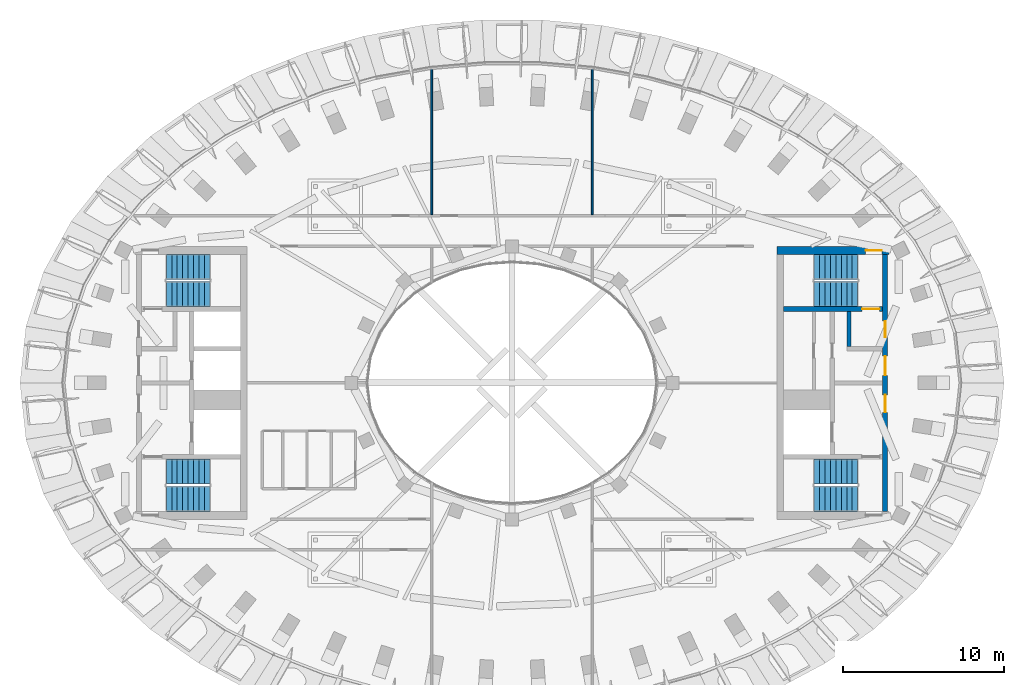
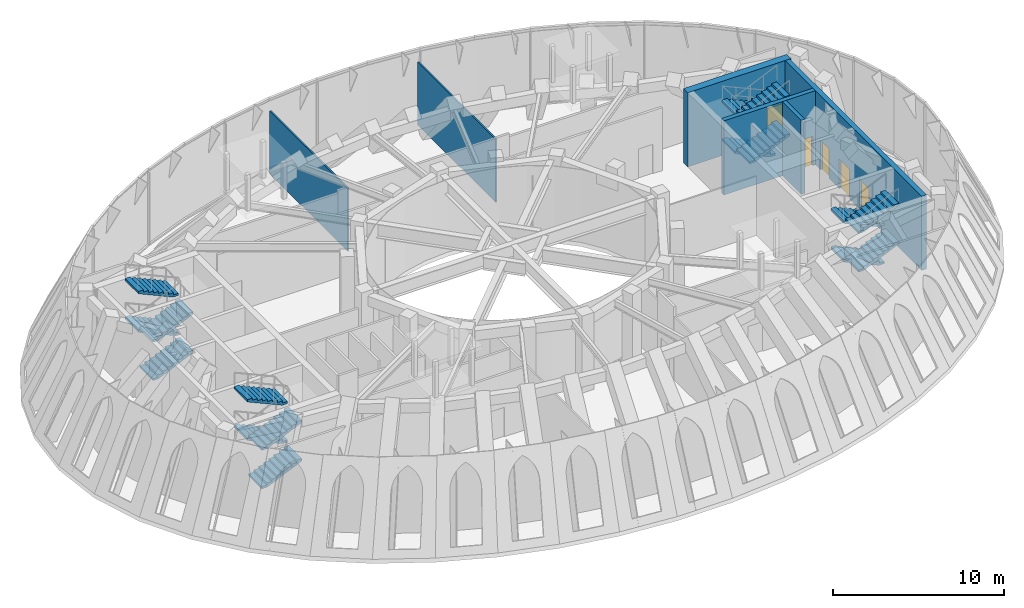
# One storey, part 5 of 13: 16 stair flights, 6 walls, 5 doors, 5 openings, 4 elements without a shape of their own.
"""IFC4 building model written with IfcOpenShell, lengths in metres."""

import ifcopenshell
import ifcopenshell.guid

model = None  # the IFC model being written
_history = None  # IfcOwnerHistory: only IFC2X3 demands one
_inside = {}  # id of a spatial element -> (the spatial element, [elements in it])
_under = {}  # id of a project, library or spatial element -> (it, [spatial elements below it])
_declared = {}  # id of a project -> (the project, [libraries it declares])
_typed = {}  # id of a type object -> (the type object, [elements of that type])
_made_of = {}  # id of a material, layer set ... -> (it, [elements and type objects made of it])


def new_model(schema):
    """Start an empty IFC model of exactly this schema.

    Asked for "IFC4X3", IfcOpenShell would pick the latest addendum, in which some entities
    have other attributes; the version numbers below select the first issue.
    IFC2X3 requires an IfcOwnerHistory on every rooted entity: one is made here for all.
    """
    global model, _history
    if schema == "IFC4X3":
        model = ifcopenshell.file(schema_version=(4, 3, 0, 0))
    else:
        model = ifcopenshell.file(schema=schema)
    _inside.clear()
    _under.clear()
    _declared.clear()
    _typed.clear()
    _made_of.clear()
    _history = None
    if model.schema == "IFC2X3":
        org = make("IfcOrganization", Name="unknown")
        user = make(
            "IfcPersonAndOrganization",
            ThePerson=make("IfcPerson", FamilyName="unknown"),
            TheOrganization=org,
        )
        app = make(
            "IfcApplication",
            ApplicationDeveloper=org,
            Version="unknown",
            ApplicationFullName="unknown",
            ApplicationIdentifier="unknown",
        )
        _history = make(
            "IfcOwnerHistory",
            OwningUser=user,
            OwningApplication=app,
            ChangeAction="ADDED",
            CreationDate=0,
        )
    return model


def make(cls, **values):
    """One entity of the class cls with the attributes given. An attribute that is None is left unset."""
    return model.create_entity(
        cls, **{name: value for name, value in values.items() if value is not None}
    )


def rooted(cls, **values):
    """An entity with a GlobalId (a new one), such as an element, a storey or a relation."""
    return make(cls, GlobalId=ifcopenshell.guid.new(), OwnerHistory=_history, **values)


def si_unit(unit_type, name, prefix=None):
    """IfcSIUnit, for example si_unit("LENGTHUNIT", "METRE", prefix="MILLI")."""
    return make("IfcSIUnit", UnitType=unit_type, Prefix=prefix, Name=name)


def assignment(units):
    """IfcUnitAssignment: the units of a project."""
    return None if units is None else make("IfcUnitAssignment", Units=units)


def point(xyz):
    """IfcCartesianPoint."""
    return None if xyz is None else make("IfcCartesianPoint", Coordinates=xyz)


def direction(xyz):
    """IfcDirection."""
    return None if xyz is None else make("IfcDirection", DirectionRatios=xyz)


def frame(location, z_axis=None, x_axis=None):
    """IfcAxis2Placement3D, a coordinate frame: its origin and axes. An axis left out is left unset."""
    return make(
        "IfcAxis2Placement3D",
        Location=point(location),
        Axis=direction(z_axis),
        RefDirection=direction(x_axis),
    )


def frame_2d(location, x_axis=None):
    """IfcAxis2Placement2D, a coordinate frame in the plane: its origin and x axis."""
    return make(
        "IfcAxis2Placement2D", Location=point(location), RefDirection=direction(x_axis)
    )


def origin():
    """The frame at (0, 0, 0) with its axes left unset."""
    return frame((0.0, 0.0, 0.0))


def place(relative_to, where):
    """IfcLocalPlacement: puts the frame where relative to a parent placement (None: the world)."""
    return make(
        "IfcLocalPlacement", PlacementRelTo=relative_to, RelativePlacement=where
    )


def context(
    kind, dimensions, precision=None, world=None, true_north=None, identifier=None
):
    """IfcGeometricRepresentationContext, for example the 3D "Model" context."""
    return make(
        "IfcGeometricRepresentationContext",
        ContextIdentifier=identifier,
        ContextType=kind,
        CoordinateSpaceDimension=dimensions,
        Precision=precision,
        WorldCoordinateSystem=world,
        TrueNorth=true_north,
    )


def subcontext(parent, identifier, kind, view, scale=None):
    """IfcGeometricRepresentationSubContext, for example "Body" below "Model"."""
    return make(
        "IfcGeometricRepresentationSubContext",
        ContextIdentifier=identifier,
        ContextType=kind,
        ParentContext=parent,
        TargetScale=scale,
        TargetView=view,
    )


def project(units=None, contexts=None):
    """IfcProject with its units and contexts."""
    return rooted(
        "IfcProject",
        Name="project",
        RepresentationContexts=contexts,
        UnitsInContext=assignment(units),
    )


def spatial(cls, under=None, at=None, **own):
    """A site, building, storey or space (cls), placed at a placement, below another one or the project."""
    s = rooted(cls, ObjectPlacement=at, **own)
    if under is not None:
        _under.setdefault(under.id(), (under, []))[1].append(s)
    return s


def polyline(points):
    """IfcPolyline through the points."""
    return make("IfcPolyline", Points=[point(p) for p in points])


def profile(cls, at=None, kind="AREA", **sizes):
    """A parametric profile (cls). Its sizes go by their IFC names, for example OverallWidth=200.0."""
    return make(cls, ProfileType=kind, Position=at, **sizes)


def rectangle(**sizes):
    """IfcRectangleProfileDef."""
    return profile("IfcRectangleProfileDef", **sizes)


def outline(outer, holes=None, kind="AREA"):
    """IfcArbitraryClosedProfileDef: a profile drawn as a closed curve; with holes, ...WithVoids."""
    if holes is None:
        return make("IfcArbitraryClosedProfileDef", ProfileType=kind, OuterCurve=outer)
    return make(
        "IfcArbitraryProfileDefWithVoids",
        ProfileType=kind,
        OuterCurve=outer,
        InnerCurves=holes,
    )


def extrude(swept, where, along, depth):
    """IfcExtrudedAreaSolid: the profile swept, set in the frame where, extruded along a direction by depth."""
    return make(
        "IfcExtrudedAreaSolid",
        SweptArea=swept,
        Position=where,
        ExtrudedDirection=direction(along),
        Depth=depth,
    )


def shape(context_of_items, identifier, shape_type, items):
    """IfcShapeRepresentation: the items that make up one representation, for example the "Body"."""
    return make(
        "IfcShapeRepresentation",
        ContextOfItems=context_of_items,
        RepresentationIdentifier=identifier,
        RepresentationType=shape_type,
        Items=items,
    )


def material(Name=None, Category=None):
    """IfcMaterial."""
    return make("IfcMaterial", Name=Name, Category=Category)


def layer(
    of_material, thickness, ventilated=None, Name=None, Category=None, Priority=None
):
    """IfcMaterialLayer: one layer of a wall or slab, of a material (None: an air gap)."""
    return make(
        "IfcMaterialLayer",
        Material=of_material,
        LayerThickness=thickness,
        IsVentilated=ventilated,
        Name=Name,
        Category=Category,
        Priority=Priority,
    )


def layer_set(layers, Name=None):
    """IfcMaterialLayerSet."""
    return make("IfcMaterialLayerSet", MaterialLayers=layers, LayerSetName=Name)


def made_of(thing, what):
    """Note that an element or type object is made of a material, layer set ...; save() writes the relation."""
    if what is not None:
        _made_of.setdefault(what.id(), (what, []))[1].append(thing)
    return thing


def type_object(cls, material=None, **own):
    """A type object (cls), such as IfcWallType, which elements share."""
    return made_of(rooted(cls, **own), material)


def element(
    cls,
    number,
    at=None,
    inside=None,
    cuts=None,
    type_object=None,
    material=None,
    context=None,
    identifier="Body",
    shape_type=None,
    held_by="IfcProductDefinitionShape",
    body=None,
    shapes=None,
    **own,
):
    """One element of the class cls, such as IfcWall. Its Tag is "e" and its number.

    at: its placement. inside: the storey or other place that contains it. cuts: it is an
    opening in that element (IfcRelVoidsElement). A single representation is given by context,
    identifier, shape_type and body (its items); several are given by shapes. held_by: the class
    of the entity that holds the representations. save() writes the other relations.
    """
    e = rooted(cls, Tag="e%d" % number, ObjectPlacement=at, **own)
    if body is not None:
        shapes = [shape(context, identifier, shape_type, body)]
    if shapes is not None:
        e.Representation = make(held_by, Representations=shapes)
    if inside is not None:
        _inside.setdefault(inside.id(), (inside, []))[1].append(e)
    if cuts is not None:
        rooted(
            "IfcRelVoidsElement", RelatingBuildingElement=cuts, RelatedOpeningElement=e
        )
    if type_object is not None:
        _typed.setdefault(type_object.id(), (type_object, []))[1].append(e)
    return made_of(e, material)


def fill(opening, filler):
    """IfcRelFillsElement: the door or window that sits in an opening."""
    return rooted(
        "IfcRelFillsElement",
        RelatingOpeningElement=opening,
        RelatedBuildingElement=filler,
    )


def aggregate(whole, parts):
    """IfcRelAggregates: a whole, such as a stair, and the parts it consists of."""
    return rooted("IfcRelAggregates", RelatingObject=whole, RelatedObjects=parts)


def save(model, path):
    """Write the relations noted so far, then the file.

    IfcRelAggregates (storeys below a building ...), IfcRelContainedInSpatialStructure (elements
    in a storey), IfcRelDefinesByType, IfcRelAssociatesMaterial and IfcRelDeclares: one each for
    every whole, place, type object, material and project.
    """
    for whole, parts in _under.values():
        aggregate(whole, parts)
    for where, things in _inside.values():
        rooted(
            "IfcRelContainedInSpatialStructure",
            RelatedElements=things,
            RelatingStructure=where,
        )
    for kind, things in _typed.values():
        rooted("IfcRelDefinesByType", RelatedObjects=things, RelatingType=kind)
    for what, things in _made_of.values():
        rooted("IfcRelAssociatesMaterial", RelatedObjects=things, RelatingMaterial=what)
    for by, libraries in _declared.values():
        rooted("IfcRelDeclares", RelatingContext=by, RelatedDefinitions=libraries)
    model.write(path)


model = new_model("IFC4")

# Units and contexts
model_context = context("Model", 3, precision=1e-05, world=origin(), true_north=direction((0.0, 1.0)))
body_context = subcontext(model_context, "Body", "Model", "MODEL_VIEW")
ifc_project = project(units=[si_unit("LENGTHUNIT", "METRE"), si_unit("AREAUNIT", "SQUARE_METRE"), si_unit("VOLUMEUNIT", "CUBIC_METRE"), si_unit("PLANEANGLEUNIT", "RADIAN"), si_unit("MASSUNIT", "GRAM", prefix="KILO")], contexts=[model_context])

# Site, building, storey
site_placement = place(None, origin())
site = spatial("IfcSite", under=ifc_project, at=site_placement, CompositionType="ELEMENT")
building_placement = place(site_placement, origin())
building = spatial("IfcBuilding", under=site, at=building_placement, Name="Noorbagh Ring Tower", CompositionType="ELEMENT")
storey_placement = place(building_placement, frame((0.0, 0.0, 351.0)))
storey = spatial("IfcBuildingStorey", under=building, at=storey_placement, Name="L77", CompositionType="ELEMENT", Elevation=351.0)

# Wall
ifc_material_1 = material(Name="Concrete C50/60", Category="concrete")
ifc_layer_1 = layer(ifc_material_1, 0.25)
ifc_layer_set_1 = layer_set([ifc_layer_1], Name="Concrete C50/60")
wall_type_1 = type_object("IfcWallType", Name="CORE-WALL-250-C50-60-EI240", PredefinedType="SHEAR", material=ifc_layer_set_1)
wall_1_placement = place(storey_placement, frame((20.97509765625, 2.25, 0.0), z_axis=(0.0, 0.0, 1.0), x_axis=(0.0, 1.0, 0.0)))
element("IfcWall", 1, at=wall_1_placement, inside=storey, type_object=wall_type_1, Name="Core wall E", PredefinedType="SHEAR", context=body_context, shape_type="SweptSolid", body=[
    extrude(rectangle(XDim=2.199951171875, YDim=0.25, at=frame_2d((1.10009765625, 0.0))), origin(), (0.0, 0.0, 1.0), 5.300048828125),
])

# Wall, opening, door
ifc_material_2 = material(Name="Concrete C50/60", Category="concrete")
ifc_layer_2 = layer(ifc_material_2, 0.300048828125)
ifc_layer_set_2 = layer_set([ifc_layer_2], Name="Concrete C50/60")
wall_type_2 = type_object("IfcWallType", Name="CORE-WALL-300-C50-60-EI240", PredefinedType="SHEAR", material=ifc_layer_set_2)
wall_2_placement = place(storey_placement, frame((16.89990234375, 4.60009765625, 0.0), z_axis=(0.0, 0.0, 1.0), x_axis=(1.0, 0.0, 0.0)))
wall_2 = element("IfcWall", 2, at=wall_2_placement, inside=storey, type_object=wall_type_2, Name="Core wall E", PredefinedType="SHEAR", context=body_context, shape_type="SweptSolid", body=[
    extrude(rectangle(XDim=6.18017578125, YDim=0.300048828125, at=frame_2d((3.090087890625, 0.0))), origin(), (0.0, 0.0, 1.0), 5.300048828125),
])
opening_1_placement = place(wall_2_placement, frame((4.89990234375, 0.0, 0.0)))
opening_1 = element("IfcOpeningElement", 3, at=opening_1_placement, cuts=wall_2, Name="Opening L77-CE02", PredefinedType="OPENING", context=body_context, shape_type="SweptSolid", body=[
    extrude(rectangle(XDim=1.10009765625, YDim=2.10009765625, at=frame_2d((0.550048828125, 1.050048828125))), frame((0.0, 0.16015625, 0.0), z_axis=(0.0, -1.0, 0.0), x_axis=(1.0, 0.0, 0.0)), (0.0, 0.0, 1.0), 0.320068359375),
])
ifc_material_3 = material(Name="Steel door leaf", Category="steel")
door_type_1 = type_object("IfcDoorType", Name="CORE-DOOR-DSTAIR", OperationType="SINGLE_SWING_LEFT", PredefinedType="DOOR", material=ifc_material_3)
door_1_placement = place(opening_1_placement, origin())
door_1 = element("IfcDoor", 4, at=door_1_placement, inside=storey, type_object=door_type_1, Name="Stair door ST3 L77-CE02", OperationType="SINGLE_SWING_LEFT", OverallHeight=2.10009765625, OverallWidth=1.10009765625, PredefinedType="DOOR", context=body_context, shape_type="SweptSolid", body=[
    extrude(rectangle(XDim=1.10009765625, YDim=2.10009765625, at=frame_2d((0.550048828125, 1.050048828125))), frame((0.0, 0.02490234375, 0.0), z_axis=(0.0, -1.0, 0.0), x_axis=(1.0, 0.0, 0.0)), (0.0, 0.0, 1.0), 0.050048828125),
])
fill(opening_1, door_1)

# Wall, openings, doors
ifc_material_4 = material(Name="Concrete C50/60", Category="concrete")
ifc_layer_3 = layer(ifc_material_4, 0.320068359375)
ifc_layer_set_3 = layer_set([ifc_layer_3], Name="Concrete C50/60")
wall_type_3 = type_object("IfcWallType", Name="CORE-WALL-320-C50-60-EI240", PredefinedType="SHEAR", material=ifc_layer_set_3)
wall_3_placement = place(storey_placement, frame((23.239990234375, -8.0, 0.0), z_axis=(0.0, 0.0, 1.0), x_axis=(0.0, 1.0, 0.0)))
wall_3 = element("IfcWall", 5, at=wall_3_placement, inside=storey, type_object=wall_type_3, Name="Core wall E", PredefinedType="SHEAR", context=body_context, shape_type="SweptSolid", body=[
    extrude(rectangle(XDim=16.0, YDim=0.320068359375, at=frame_2d((8.0, 0.0))), origin(), (0.0, 0.0, 1.0), 5.300048828125),
])
opening_2_placement = place(wall_3_placement, frame((6.159912109375, 0.0, 0.0)))
opening_2 = element("IfcOpeningElement", 6, at=opening_2_placement, cuts=wall_3, Name="Opening L77-CE04", PredefinedType="OPENING", context=body_context, shape_type="SweptSolid", body=[
    extrude(rectangle(XDim=1.10009765625, YDim=2.10009765625, at=frame_2d((0.550048828125, 1.050048828125))), frame((0.0, 0.169921875, 0.0), z_axis=(0.0, -1.0, 0.0), x_axis=(1.0, 0.0, 0.0)), (0.0, 0.0, 1.0), 0.340087890625),
])
opening_3_placement = place(wall_3_placement, frame((10.85009765625, 0.0, 0.0)))
opening_3 = element("IfcOpeningElement", 7, at=opening_3_placement, cuts=wall_3, Name="Opening L77-CE05", PredefinedType="OPENING", context=body_context, shape_type="SweptSolid", body=[
    extrude(rectangle(XDim=1.0, YDim=2.10009765625, at=frame_2d((0.5, 1.050048828125))), frame((0.0, 0.169921875, 0.0), z_axis=(0.0, -1.0, 0.0), x_axis=(1.0, 0.0, 0.0)), (0.0, 0.0, 1.0), 0.340087890625),
])
opening_4_placement = place(wall_3_placement, frame((8.4599609375, 0.0, 0.0)))
opening_4 = element("IfcOpeningElement", 8, at=opening_4_placement, cuts=wall_3, Name="Opening L77-CE06", PredefinedType="OPENING", context=body_context, shape_type="SweptSolid", body=[
    extrude(rectangle(XDim=1.199951171875, YDim=2.10009765625, at=frame_2d((0.60009765625, 1.050048828125))), frame((0.0, 0.169921875, 0.0), z_axis=(0.0, -1.0, 0.0), x_axis=(1.0, 0.0, 0.0)), (0.0, 0.0, 1.0), 0.340087890625),
])
ifc_material_5 = material(Name="Steel door leaf", Category="steel")
door_type_2 = type_object("IfcDoorType", Name="CORE-DOOR-DFF", OperationType="SINGLE_SWING_LEFT", PredefinedType="DOOR", material=ifc_material_5)
door_2_placement = place(opening_2_placement, origin())
door_2 = element("IfcDoor", 9, at=door_2_placement, inside=storey, type_object=door_type_2, Name="Firefighting lobby door L77-CE04", OperationType="SINGLE_SWING_LEFT", OverallHeight=2.10009765625, OverallWidth=1.10009765625, PredefinedType="DOOR", context=body_context, shape_type="SweptSolid", body=[
    extrude(rectangle(XDim=1.10009765625, YDim=2.10009765625, at=frame_2d((0.550048828125, 1.050048828125))), frame((0.0, 0.02490234375, 0.0), z_axis=(0.0, -1.0, 0.0), x_axis=(1.0, 0.0, 0.0)), (0.0, 0.0, 1.0), 0.050048828125),
])
fill(opening_2, door_2)
ifc_material_6 = material(Name="Steel door leaf", Category="steel")
door_type_3 = type_object("IfcDoorType", Name="CORE-DOOR-DVEST", OperationType="SINGLE_SWING_LEFT", PredefinedType="DOOR", material=ifc_material_6)
door_3_placement = place(opening_3_placement, origin())
door_3 = element("IfcDoor", 10, at=door_3_placement, inside=storey, type_object=door_type_3, Name="Stair vestibule door L77-CE05", OperationType="SINGLE_SWING_RIGHT", OverallHeight=2.10009765625, OverallWidth=1.0, PredefinedType="DOOR", context=body_context, shape_type="SweptSolid", body=[
    extrude(rectangle(XDim=1.0, YDim=2.10009765625, at=frame_2d((0.5, 1.050048828125))), frame((0.0, 0.02490234375, 0.0), z_axis=(0.0, -1.0, 0.0), x_axis=(1.0, 0.0, 0.0)), (0.0, 0.0, 1.0), 0.050048828125),
])
fill(opening_3, door_3)
ifc_material_7 = material(Name="Steel door leaf", Category="steel")
door_type_4 = type_object("IfcDoorType", Name="CORE-DOOR-PORT", OperationType="DOUBLE_DOOR_DOUBLE_SWING", PredefinedType="DOOR", material=ifc_material_7)
door_4_placement = place(opening_4_placement, origin())
door_4 = element("IfcDoor", 11, at=door_4_placement, inside=storey, type_object=door_type_4, Name="Core entrance door L77-CE06", OperationType="DOUBLE_DOOR_DOUBLE_SWING", OverallHeight=2.10009765625, OverallWidth=1.199951171875, PredefinedType="DOOR", context=body_context, shape_type="SweptSolid", body=[
    extrude(rectangle(XDim=1.199951171875, YDim=2.10009765625, at=frame_2d((0.60009765625, 1.050048828125))), frame((0.0, 0.02490234375, 0.0), z_axis=(0.0, -1.0, 0.0), x_axis=(1.0, 0.0, 0.0)), (0.0, 0.0, 1.0), 0.050048828125),
])
fill(opening_4, door_4)

# Wall, opening, door
ifc_material_8 = material(Name="Concrete C50/60", Category="concrete")
ifc_layer_4 = layer(ifc_material_8, 0.5)
ifc_layer_set_4 = layer_set([ifc_layer_4], Name="Concrete C50/60")
wall_type_4 = type_object("IfcWallType", Name="CORE-WALL-500-C50-60-EI240", PredefinedType="SHEAR", material=ifc_layer_set_4)
wall_4_placement = place(storey_placement, frame((16.5, 8.25, 0.0), z_axis=(0.0, 0.0, 1.0), x_axis=(1.0, 0.0, 0.0)))
wall_4 = element("IfcWall", 12, at=wall_4_placement, inside=storey, type_object=wall_type_4, Name="Core wall E", PredefinedType="SHEAR", context=body_context, shape_type="SweptSolid", body=[
    extrude(rectangle(XDim=6.9814453125, YDim=0.5, at=frame_2d((3.49072265625, 0.0))), origin(), (0.0, 0.0, 1.0), 5.300048828125),
])
opening_5_placement = place(wall_4_placement, frame((5.530029296875, 0.0, 0.0)))
opening_5 = element("IfcOpeningElement", 13, at=opening_5_placement, cuts=wall_4, Name="Opening L77-CE07", PredefinedType="OPENING", context=body_context, shape_type="SweptSolid", body=[
    extrude(rectangle(XDim=1.0, YDim=2.10009765625, at=frame_2d((0.5, 1.050048828125))), frame((0.0, 0.260009765625, 0.0), z_axis=(0.0, -1.0, 0.0), x_axis=(1.0, 0.0, 0.0)), (0.0, 0.0, 1.0), 0.52001953125),
])
ifc_material_9 = material(Name="Steel door leaf", Category="steel")
door_type_5 = type_object("IfcDoorType", Name="CORE-DOOR-DFLANK", OperationType="SINGLE_SWING_LEFT", PredefinedType="DOOR", material=ifc_material_9)
door_5_placement = place(opening_5_placement, origin())
door_5 = element("IfcDoor", 14, at=door_5_placement, inside=storey, type_object=door_type_5, Name="Stair door ST3 (floor side) L77-CE07", OperationType="SINGLE_SWING_RIGHT", OverallHeight=2.10009765625, OverallWidth=1.0, PredefinedType="DOOR", context=body_context, shape_type="SweptSolid", body=[
    extrude(rectangle(XDim=1.0, YDim=2.10009765625, at=frame_2d((0.5, 1.050048828125))), frame((0.0, 0.02490234375, 0.0), z_axis=(0.0, -1.0, 0.0), x_axis=(1.0, 0.0, 0.0)), (0.0, 0.0, 1.0), 0.050048828125),
])
fill(opening_5, door_5)

# Walls
ifc_material_10 = material(Name="Gypsum board on steel studs", Category="steel")
ifc_layer_5 = layer(ifc_material_10, 0.10009765625)
ifc_layer_set_5 = layer_set([ifc_layer_5], Name="Gypsum board on steel studs")
wall_type_5 = type_object("IfcWallType", Name="PARTITION 100 GYPSUM", PredefinedType="PARTITIONING", material=ifc_layer_set_5)
for number, where, z_axis, x_axis, name in (
    (15, (-5.0, 10.485107421875, 0.0), (0.0, 0.0, 1.0), (0.0, 1.0, 0.0), "L77/wall/P19"),
    (16, (5.0, 10.485107421875, 0.0), (0.0, 0.0, 1.0), (0.0, 1.0, 0.0), "L77/wall/P26"),
):
    element("IfcWall", number, at=place(storey_placement, frame(where, z_axis=z_axis, x_axis=x_axis)), inside=storey, type_object=wall_type_5, Name=name, PredefinedType="PARTITIONING", context=body_context, shape_type="SweptSolid", body=[
        extrude(rectangle(XDim=9.135009765625, YDim=0.10009765625, at=frame_2d((4.5673828125, 0.0))), origin(), (0.0, 0.0, 1.0), 4.5),
    ])

# Stair, stair flights
ifc_material_11 = material(Name="Concrete C40/50", Category="concrete")
stair_type = type_object("IfcStairType", Name="CORE-STAIR", PredefinedType="HALF_TURN_STAIR", material=ifc_material_11)
stair_1_placement = place(storey_placement, origin())
stair_1 = element("IfcStair", 17, at=stair_1_placement, inside=storey, type_object=stair_type, Name="L77 Exit stair ST1", PredefinedType="HALF_TURN_STAIR")
ifc_material_12 = material(Name="Concrete C40/50", Category="concrete")
stair_flight_type = type_object("IfcStairFlightType", Name="CORE-STAIR-FLIGHT", PredefinedType="STRAIGHT", material=ifc_material_12)
stair_flight_1_placement = place(storey_placement, frame((-21.530029296875, 5.52490234375, 0.0), z_axis=(0.0, 0.0, 1.0), x_axis=(1.0, 0.0, 0.0)))
stair_flight_1 = element("IfcStairFlight", 18, at=stair_flight_1_placement, type_object=stair_flight_type, Name="ST1 flight 1", NumberOfRisers=9, NumberOfTreads=8, PredefinedType="STRAIGHT", RiserHeight=0.152777778, TreadLength=0.34, context=body_context, shape_type="SweptSolid", body=[
    extrude(outline(polyline([(0.0, 0.0), (0.0, 0.15283203125), (0.340087890625, 0.15283203125), (0.340087890625, 0.3056640625), (0.679931640625, 0.3056640625), (0.679931640625, 0.458251953125), (1.02001953125, 0.458251953125), (1.02001953125, 0.611083984375), (1.360107421875, 0.611083984375), (1.360107421875, 0.763916015625), (1.699951171875, 0.763916015625), (1.699951171875, 0.916748046875), (2.0400390625, 0.916748046875), (2.0400390625, 1.0693359375), (2.3798828125, 1.0693359375), (2.3798828125, 1.22216796875), (2.719970703125, 1.22216796875), (2.719970703125, 1.375), (2.719970703125, 1.057861328125), (0.36572265625, 0.0), (0.0, 0.0)])), frame((0.0, 0.77490234375, 0.0), z_axis=(0.0, -1.0, 0.0), x_axis=(1.0, 0.0, 0.0)), (0.0, 0.0, 1.0), 1.550048828125),
])
stair_flight_2_placement = place(storey_placement, frame((-18.81005859375, 7.22509765625, 1.375), z_axis=(0.0, 0.0, 1.0), x_axis=(-1.0, 0.0, 0.0)))
stair_flight_2 = element("IfcStairFlight", 19, at=stair_flight_2_placement, type_object=stair_flight_type, Name="ST1 flight 2", NumberOfRisers=9, NumberOfTreads=8, PredefinedType="STRAIGHT", RiserHeight=0.152777778, TreadLength=0.34, context=body_context, shape_type="SweptSolid", body=[
    extrude(outline(polyline([(0.0, 0.0), (0.0, 0.15283203125), (0.340087890625, 0.15283203125), (0.340087890625, 0.3056640625), (0.679931640625, 0.3056640625), (0.679931640625, 0.458251953125), (1.02001953125, 0.458251953125), (1.02001953125, 0.611083984375), (1.360107421875, 0.611083984375), (1.360107421875, 0.763916015625), (1.699951171875, 0.763916015625), (1.699951171875, 0.916748046875), (2.0400390625, 0.916748046875), (2.0400390625, 1.0693359375), (2.3798828125, 1.0693359375), (2.3798828125, 1.22216796875), (2.719970703125, 1.22216796875), (2.719970703125, 1.375), (2.719970703125, 1.057861328125), (0.36572265625, 0.0), (0.0, 0.0)])), frame((0.0, 0.77490234375, 0.0), z_axis=(0.0, -1.0, 0.0), x_axis=(1.0, 0.0, 0.0)), (0.0, 0.0, 1.0), 1.550048828125),
])
stair_flight_3_placement = place(storey_placement, frame((-21.530029296875, 5.52490234375, 2.75), z_axis=(0.0, 0.0, 1.0), x_axis=(1.0, 0.0, 0.0)))
stair_flight_3 = element("IfcStairFlight", 20, at=stair_flight_3_placement, type_object=stair_flight_type, Name="ST1 flight 3", NumberOfRisers=9, NumberOfTreads=8, PredefinedType="STRAIGHT", RiserHeight=0.152777778, TreadLength=0.34, context=body_context, shape_type="SweptSolid", body=[
    extrude(outline(polyline([(0.0, 0.0), (0.0, 0.15283203125), (0.340087890625, 0.15283203125), (0.340087890625, 0.3056640625), (0.679931640625, 0.3056640625), (0.679931640625, 0.458251953125), (1.02001953125, 0.458251953125), (1.02001953125, 0.611083984375), (1.360107421875, 0.611083984375), (1.360107421875, 0.763916015625), (1.699951171875, 0.763916015625), (1.699951171875, 0.916748046875), (2.0400390625, 0.916748046875), (2.0400390625, 1.0693359375), (2.3798828125, 1.0693359375), (2.3798828125, 1.22216796875), (2.719970703125, 1.22216796875), (2.719970703125, 1.375), (2.719970703125, 1.057861328125), (0.36572265625, 0.0), (0.0, 0.0)])), frame((0.0, 0.77490234375, 0.0), z_axis=(0.0, -1.0, 0.0), x_axis=(1.0, 0.0, 0.0)), (0.0, 0.0, 1.0), 1.550048828125),
])
stair_flight_4_placement = place(storey_placement, frame((-18.81005859375, 7.22509765625, 4.125), z_axis=(0.0, 0.0, 1.0), x_axis=(-1.0, 0.0, 0.0)))
stair_flight_4 = element("IfcStairFlight", 21, at=stair_flight_4_placement, type_object=stair_flight_type, Name="ST1 flight 4", NumberOfRisers=9, NumberOfTreads=8, PredefinedType="STRAIGHT", RiserHeight=0.152777778, TreadLength=0.34, context=body_context, shape_type="SweptSolid", body=[
    extrude(outline(polyline([(0.0, 0.0), (0.0, 0.15283203125), (0.340087890625, 0.15283203125), (0.340087890625, 0.3056640625), (0.679931640625, 0.3056640625), (0.679931640625, 0.458251953125), (1.02001953125, 0.458251953125), (1.02001953125, 0.611083984375), (1.360107421875, 0.611083984375), (1.360107421875, 0.763916015625), (1.699951171875, 0.763916015625), (1.699951171875, 0.916748046875), (2.0400390625, 0.916748046875), (2.0400390625, 1.0693359375), (2.3798828125, 1.0693359375), (2.3798828125, 1.22216796875), (2.719970703125, 1.22216796875), (2.719970703125, 1.375), (2.719970703125, 1.057861328125), (0.36572265625, 0.0), (0.0, 0.0)])), frame((0.0, 0.77490234375, 0.0), z_axis=(0.0, -1.0, 0.0), x_axis=(1.0, 0.0, 0.0)), (0.0, 0.0, 1.0), 1.550048828125),
])
aggregate(stair_1, [stair_flight_1, stair_flight_2, stair_flight_3, stair_flight_4])

stair_2_placement = place(storey_placement, origin())
stair_2 = element("IfcStair", 22, at=stair_2_placement, inside=storey, type_object=stair_type, Name="L77 Exit stair ST2", PredefinedType="HALF_TURN_STAIR")
stair_flight_5_placement = place(storey_placement, frame((-21.530029296875, -7.22509765625, 0.0), z_axis=(0.0, 0.0, 1.0), x_axis=(1.0, 0.0, 0.0)))
stair_flight_5 = element("IfcStairFlight", 23, at=stair_flight_5_placement, type_object=stair_flight_type, Name="ST2 flight 1", NumberOfRisers=9, NumberOfTreads=8, PredefinedType="STRAIGHT", RiserHeight=0.152777778, TreadLength=0.34, context=body_context, shape_type="SweptSolid", body=[
    extrude(outline(polyline([(0.0, 0.0), (0.0, 0.15283203125), (0.340087890625, 0.15283203125), (0.340087890625, 0.3056640625), (0.679931640625, 0.3056640625), (0.679931640625, 0.458251953125), (1.02001953125, 0.458251953125), (1.02001953125, 0.611083984375), (1.360107421875, 0.611083984375), (1.360107421875, 0.763916015625), (1.699951171875, 0.763916015625), (1.699951171875, 0.916748046875), (2.0400390625, 0.916748046875), (2.0400390625, 1.0693359375), (2.3798828125, 1.0693359375), (2.3798828125, 1.22216796875), (2.719970703125, 1.22216796875), (2.719970703125, 1.375), (2.719970703125, 1.057861328125), (0.36572265625, 0.0), (0.0, 0.0)])), frame((0.0, 0.77490234375, 0.0), z_axis=(0.0, -1.0, 0.0), x_axis=(1.0, 0.0, 0.0)), (0.0, 0.0, 1.0), 1.550048828125),
])
stair_flight_6_placement = place(storey_placement, frame((-18.81005859375, -5.52490234375, 1.375), z_axis=(0.0, 0.0, 1.0), x_axis=(-1.0, 0.0, 0.0)))
stair_flight_6 = element("IfcStairFlight", 24, at=stair_flight_6_placement, type_object=stair_flight_type, Name="ST2 flight 2", NumberOfRisers=9, NumberOfTreads=8, PredefinedType="STRAIGHT", RiserHeight=0.152777778, TreadLength=0.34, context=body_context, shape_type="SweptSolid", body=[
    extrude(outline(polyline([(0.0, 0.0), (0.0, 0.15283203125), (0.340087890625, 0.15283203125), (0.340087890625, 0.3056640625), (0.679931640625, 0.3056640625), (0.679931640625, 0.458251953125), (1.02001953125, 0.458251953125), (1.02001953125, 0.611083984375), (1.360107421875, 0.611083984375), (1.360107421875, 0.763916015625), (1.699951171875, 0.763916015625), (1.699951171875, 0.916748046875), (2.0400390625, 0.916748046875), (2.0400390625, 1.0693359375), (2.3798828125, 1.0693359375), (2.3798828125, 1.22216796875), (2.719970703125, 1.22216796875), (2.719970703125, 1.375), (2.719970703125, 1.057861328125), (0.36572265625, 0.0), (0.0, 0.0)])), frame((0.0, 0.77490234375, 0.0), z_axis=(0.0, -1.0, 0.0), x_axis=(1.0, 0.0, 0.0)), (0.0, 0.0, 1.0), 1.550048828125),
])
stair_flight_7_placement = place(storey_placement, frame((-21.530029296875, -7.22509765625, 2.75), z_axis=(0.0, 0.0, 1.0), x_axis=(1.0, 0.0, 0.0)))
stair_flight_7 = element("IfcStairFlight", 25, at=stair_flight_7_placement, type_object=stair_flight_type, Name="ST2 flight 3", NumberOfRisers=9, NumberOfTreads=8, PredefinedType="STRAIGHT", RiserHeight=0.152777778, TreadLength=0.34, context=body_context, shape_type="SweptSolid", body=[
    extrude(outline(polyline([(0.0, 0.0), (0.0, 0.15283203125), (0.340087890625, 0.15283203125), (0.340087890625, 0.3056640625), (0.679931640625, 0.3056640625), (0.679931640625, 0.458251953125), (1.02001953125, 0.458251953125), (1.02001953125, 0.611083984375), (1.360107421875, 0.611083984375), (1.360107421875, 0.763916015625), (1.699951171875, 0.763916015625), (1.699951171875, 0.916748046875), (2.0400390625, 0.916748046875), (2.0400390625, 1.0693359375), (2.3798828125, 1.0693359375), (2.3798828125, 1.22216796875), (2.719970703125, 1.22216796875), (2.719970703125, 1.375), (2.719970703125, 1.057861328125), (0.36572265625, 0.0), (0.0, 0.0)])), frame((0.0, 0.77490234375, 0.0), z_axis=(0.0, -1.0, 0.0), x_axis=(1.0, 0.0, 0.0)), (0.0, 0.0, 1.0), 1.550048828125),
])
stair_flight_8_placement = place(storey_placement, frame((-18.81005859375, -5.52490234375, 4.125), z_axis=(0.0, 0.0, 1.0), x_axis=(-1.0, 0.0, 0.0)))
stair_flight_8 = element("IfcStairFlight", 26, at=stair_flight_8_placement, type_object=stair_flight_type, Name="ST2 flight 4", NumberOfRisers=9, NumberOfTreads=8, PredefinedType="STRAIGHT", RiserHeight=0.152777778, TreadLength=0.34, context=body_context, shape_type="SweptSolid", body=[
    extrude(outline(polyline([(0.0, 0.0), (0.0, 0.15283203125), (0.340087890625, 0.15283203125), (0.340087890625, 0.3056640625), (0.679931640625, 0.3056640625), (0.679931640625, 0.458251953125), (1.02001953125, 0.458251953125), (1.02001953125, 0.611083984375), (1.360107421875, 0.611083984375), (1.360107421875, 0.763916015625), (1.699951171875, 0.763916015625), (1.699951171875, 0.916748046875), (2.0400390625, 0.916748046875), (2.0400390625, 1.0693359375), (2.3798828125, 1.0693359375), (2.3798828125, 1.22216796875), (2.719970703125, 1.22216796875), (2.719970703125, 1.375), (2.719970703125, 1.057861328125), (0.36572265625, 0.0), (0.0, 0.0)])), frame((0.0, 0.77490234375, 0.0), z_axis=(0.0, -1.0, 0.0), x_axis=(1.0, 0.0, 0.0)), (0.0, 0.0, 1.0), 1.550048828125),
])
aggregate(stair_2, [stair_flight_5, stair_flight_6, stair_flight_7, stair_flight_8])

stair_3_placement = place(storey_placement, origin())
stair_3 = element("IfcStair", 27, at=stair_3_placement, inside=storey, type_object=stair_type, Name="L77 Exit stair ST3", PredefinedType="HALF_TURN_STAIR")
stair_flight_9_placement = place(storey_placement, frame((21.530029296875, 7.22509765625, 0.0), z_axis=(0.0, 0.0, 1.0), x_axis=(-1.0, 0.0, 0.0)))
stair_flight_9 = element("IfcStairFlight", 28, at=stair_flight_9_placement, type_object=stair_flight_type, Name="ST3 flight 1", NumberOfRisers=9, NumberOfTreads=8, PredefinedType="STRAIGHT", RiserHeight=0.152777778, TreadLength=0.34, context=body_context, shape_type="SweptSolid", body=[
    extrude(outline(polyline([(0.0, 0.0), (0.0, 0.15283203125), (0.340087890625, 0.15283203125), (0.340087890625, 0.3056640625), (0.679931640625, 0.3056640625), (0.679931640625, 0.458251953125), (1.02001953125, 0.458251953125), (1.02001953125, 0.611083984375), (1.360107421875, 0.611083984375), (1.360107421875, 0.763916015625), (1.699951171875, 0.763916015625), (1.699951171875, 0.916748046875), (2.0400390625, 0.916748046875), (2.0400390625, 1.0693359375), (2.3798828125, 1.0693359375), (2.3798828125, 1.22216796875), (2.719970703125, 1.22216796875), (2.719970703125, 1.375), (2.719970703125, 1.057861328125), (0.36572265625, 0.0), (0.0, 0.0)])), frame((0.0, 0.77490234375, 0.0), z_axis=(0.0, -1.0, 0.0), x_axis=(1.0, 0.0, 0.0)), (0.0, 0.0, 1.0), 1.550048828125),
])
stair_flight_10_placement = place(storey_placement, frame((18.81005859375, 5.52490234375, 1.375), z_axis=(0.0, 0.0, 1.0), x_axis=(1.0, 0.0, 0.0)))
stair_flight_10 = element("IfcStairFlight", 29, at=stair_flight_10_placement, type_object=stair_flight_type, Name="ST3 flight 2", NumberOfRisers=9, NumberOfTreads=8, PredefinedType="STRAIGHT", RiserHeight=0.152777778, TreadLength=0.34, context=body_context, shape_type="SweptSolid", body=[
    extrude(outline(polyline([(0.0, 0.0), (0.0, 0.15283203125), (0.340087890625, 0.15283203125), (0.340087890625, 0.3056640625), (0.679931640625, 0.3056640625), (0.679931640625, 0.458251953125), (1.02001953125, 0.458251953125), (1.02001953125, 0.611083984375), (1.360107421875, 0.611083984375), (1.360107421875, 0.763916015625), (1.699951171875, 0.763916015625), (1.699951171875, 0.916748046875), (2.0400390625, 0.916748046875), (2.0400390625, 1.0693359375), (2.3798828125, 1.0693359375), (2.3798828125, 1.22216796875), (2.719970703125, 1.22216796875), (2.719970703125, 1.375), (2.719970703125, 1.057861328125), (0.36572265625, 0.0), (0.0, 0.0)])), frame((0.0, 0.77490234375, 0.0), z_axis=(0.0, -1.0, 0.0), x_axis=(1.0, 0.0, 0.0)), (0.0, 0.0, 1.0), 1.550048828125),
])
stair_flight_11_placement = place(storey_placement, frame((21.530029296875, 7.22509765625, 2.75), z_axis=(0.0, 0.0, 1.0), x_axis=(-1.0, 0.0, 0.0)))
stair_flight_11 = element("IfcStairFlight", 30, at=stair_flight_11_placement, type_object=stair_flight_type, Name="ST3 flight 3", NumberOfRisers=9, NumberOfTreads=8, PredefinedType="STRAIGHT", RiserHeight=0.152777778, TreadLength=0.34, context=body_context, shape_type="SweptSolid", body=[
    extrude(outline(polyline([(0.0, 0.0), (0.0, 0.15283203125), (0.340087890625, 0.15283203125), (0.340087890625, 0.3056640625), (0.679931640625, 0.3056640625), (0.679931640625, 0.458251953125), (1.02001953125, 0.458251953125), (1.02001953125, 0.611083984375), (1.360107421875, 0.611083984375), (1.360107421875, 0.763916015625), (1.699951171875, 0.763916015625), (1.699951171875, 0.916748046875), (2.0400390625, 0.916748046875), (2.0400390625, 1.0693359375), (2.3798828125, 1.0693359375), (2.3798828125, 1.22216796875), (2.719970703125, 1.22216796875), (2.719970703125, 1.375), (2.719970703125, 1.057861328125), (0.36572265625, 0.0), (0.0, 0.0)])), frame((0.0, 0.77490234375, 0.0), z_axis=(0.0, -1.0, 0.0), x_axis=(1.0, 0.0, 0.0)), (0.0, 0.0, 1.0), 1.550048828125),
])
stair_flight_12_placement = place(storey_placement, frame((18.81005859375, 5.52490234375, 4.125), z_axis=(0.0, 0.0, 1.0), x_axis=(1.0, 0.0, 0.0)))
stair_flight_12 = element("IfcStairFlight", 31, at=stair_flight_12_placement, type_object=stair_flight_type, Name="ST3 flight 4", NumberOfRisers=9, NumberOfTreads=8, PredefinedType="STRAIGHT", RiserHeight=0.152777778, TreadLength=0.34, context=body_context, shape_type="SweptSolid", body=[
    extrude(outline(polyline([(0.0, 0.0), (0.0, 0.15283203125), (0.340087890625, 0.15283203125), (0.340087890625, 0.3056640625), (0.679931640625, 0.3056640625), (0.679931640625, 0.458251953125), (1.02001953125, 0.458251953125), (1.02001953125, 0.611083984375), (1.360107421875, 0.611083984375), (1.360107421875, 0.763916015625), (1.699951171875, 0.763916015625), (1.699951171875, 0.916748046875), (2.0400390625, 0.916748046875), (2.0400390625, 1.0693359375), (2.3798828125, 1.0693359375), (2.3798828125, 1.22216796875), (2.719970703125, 1.22216796875), (2.719970703125, 1.375), (2.719970703125, 1.057861328125), (0.36572265625, 0.0), (0.0, 0.0)])), frame((0.0, 0.77490234375, 0.0), z_axis=(0.0, -1.0, 0.0), x_axis=(1.0, 0.0, 0.0)), (0.0, 0.0, 1.0), 1.550048828125),
])
aggregate(stair_3, [stair_flight_9, stair_flight_10, stair_flight_11, stair_flight_12])

stair_4_placement = place(storey_placement, origin())
stair_4 = element("IfcStair", 32, at=stair_4_placement, inside=storey, type_object=stair_type, Name="L77 Exit stair ST4", PredefinedType="HALF_TURN_STAIR")
stair_flight_13_placement = place(storey_placement, frame((21.530029296875, -5.52490234375, 0.0), z_axis=(0.0, 0.0, 1.0), x_axis=(-1.0, 0.0, 0.0)))
stair_flight_13 = element("IfcStairFlight", 33, at=stair_flight_13_placement, type_object=stair_flight_type, Name="ST4 flight 1", NumberOfRisers=9, NumberOfTreads=8, PredefinedType="STRAIGHT", RiserHeight=0.152777778, TreadLength=0.34, context=body_context, shape_type="SweptSolid", body=[
    extrude(outline(polyline([(0.0, 0.0), (0.0, 0.15283203125), (0.340087890625, 0.15283203125), (0.340087890625, 0.3056640625), (0.679931640625, 0.3056640625), (0.679931640625, 0.458251953125), (1.02001953125, 0.458251953125), (1.02001953125, 0.611083984375), (1.360107421875, 0.611083984375), (1.360107421875, 0.763916015625), (1.699951171875, 0.763916015625), (1.699951171875, 0.916748046875), (2.0400390625, 0.916748046875), (2.0400390625, 1.0693359375), (2.3798828125, 1.0693359375), (2.3798828125, 1.22216796875), (2.719970703125, 1.22216796875), (2.719970703125, 1.375), (2.719970703125, 1.057861328125), (0.36572265625, 0.0), (0.0, 0.0)])), frame((0.0, 0.77490234375, 0.0), z_axis=(0.0, -1.0, 0.0), x_axis=(1.0, 0.0, 0.0)), (0.0, 0.0, 1.0), 1.550048828125),
])
stair_flight_14_placement = place(storey_placement, frame((18.81005859375, -7.22509765625, 1.375), z_axis=(0.0, 0.0, 1.0), x_axis=(1.0, 0.0, 0.0)))
stair_flight_14 = element("IfcStairFlight", 34, at=stair_flight_14_placement, type_object=stair_flight_type, Name="ST4 flight 2", NumberOfRisers=9, NumberOfTreads=8, PredefinedType="STRAIGHT", RiserHeight=0.152777778, TreadLength=0.34, context=body_context, shape_type="SweptSolid", body=[
    extrude(outline(polyline([(0.0, 0.0), (0.0, 0.15283203125), (0.340087890625, 0.15283203125), (0.340087890625, 0.3056640625), (0.679931640625, 0.3056640625), (0.679931640625, 0.458251953125), (1.02001953125, 0.458251953125), (1.02001953125, 0.611083984375), (1.360107421875, 0.611083984375), (1.360107421875, 0.763916015625), (1.699951171875, 0.763916015625), (1.699951171875, 0.916748046875), (2.0400390625, 0.916748046875), (2.0400390625, 1.0693359375), (2.3798828125, 1.0693359375), (2.3798828125, 1.22216796875), (2.719970703125, 1.22216796875), (2.719970703125, 1.375), (2.719970703125, 1.057861328125), (0.36572265625, 0.0), (0.0, 0.0)])), frame((0.0, 0.77490234375, 0.0), z_axis=(0.0, -1.0, 0.0), x_axis=(1.0, 0.0, 0.0)), (0.0, 0.0, 1.0), 1.550048828125),
])
stair_flight_15_placement = place(storey_placement, frame((21.530029296875, -5.52490234375, 2.75), z_axis=(0.0, 0.0, 1.0), x_axis=(-1.0, 0.0, 0.0)))
stair_flight_15 = element("IfcStairFlight", 35, at=stair_flight_15_placement, type_object=stair_flight_type, Name="ST4 flight 3", NumberOfRisers=9, NumberOfTreads=8, PredefinedType="STRAIGHT", RiserHeight=0.152777778, TreadLength=0.34, context=body_context, shape_type="SweptSolid", body=[
    extrude(outline(polyline([(0.0, 0.0), (0.0, 0.15283203125), (0.340087890625, 0.15283203125), (0.340087890625, 0.3056640625), (0.679931640625, 0.3056640625), (0.679931640625, 0.458251953125), (1.02001953125, 0.458251953125), (1.02001953125, 0.611083984375), (1.360107421875, 0.611083984375), (1.360107421875, 0.763916015625), (1.699951171875, 0.763916015625), (1.699951171875, 0.916748046875), (2.0400390625, 0.916748046875), (2.0400390625, 1.0693359375), (2.3798828125, 1.0693359375), (2.3798828125, 1.22216796875), (2.719970703125, 1.22216796875), (2.719970703125, 1.375), (2.719970703125, 1.057861328125), (0.36572265625, 0.0), (0.0, 0.0)])), frame((0.0, 0.77490234375, 0.0), z_axis=(0.0, -1.0, 0.0), x_axis=(1.0, 0.0, 0.0)), (0.0, 0.0, 1.0), 1.550048828125),
])
stair_flight_16_placement = place(storey_placement, frame((18.81005859375, -7.22509765625, 4.125), z_axis=(0.0, 0.0, 1.0), x_axis=(1.0, 0.0, 0.0)))
stair_flight_16 = element("IfcStairFlight", 36, at=stair_flight_16_placement, type_object=stair_flight_type, Name="ST4 flight 4", NumberOfRisers=9, NumberOfTreads=8, PredefinedType="STRAIGHT", RiserHeight=0.152777778, TreadLength=0.34, context=body_context, shape_type="SweptSolid", body=[
    extrude(outline(polyline([(0.0, 0.0), (0.0, 0.15283203125), (0.340087890625, 0.15283203125), (0.340087890625, 0.3056640625), (0.679931640625, 0.3056640625), (0.679931640625, 0.458251953125), (1.02001953125, 0.458251953125), (1.02001953125, 0.611083984375), (1.360107421875, 0.611083984375), (1.360107421875, 0.763916015625), (1.699951171875, 0.763916015625), (1.699951171875, 0.916748046875), (2.0400390625, 0.916748046875), (2.0400390625, 1.0693359375), (2.3798828125, 1.0693359375), (2.3798828125, 1.22216796875), (2.719970703125, 1.22216796875), (2.719970703125, 1.375), (2.719970703125, 1.057861328125), (0.36572265625, 0.0), (0.0, 0.0)])), frame((0.0, 0.77490234375, 0.0), z_axis=(0.0, -1.0, 0.0), x_axis=(1.0, 0.0, 0.0)), (0.0, 0.0, 1.0), 1.550048828125),
])
aggregate(stair_4, [stair_flight_13, stair_flight_14, stair_flight_15, stair_flight_16])

save(model, "model.ifc")
